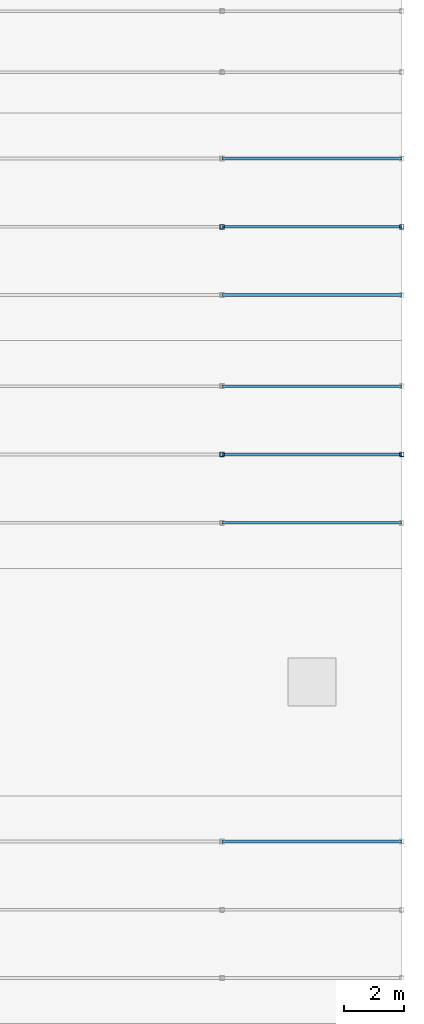
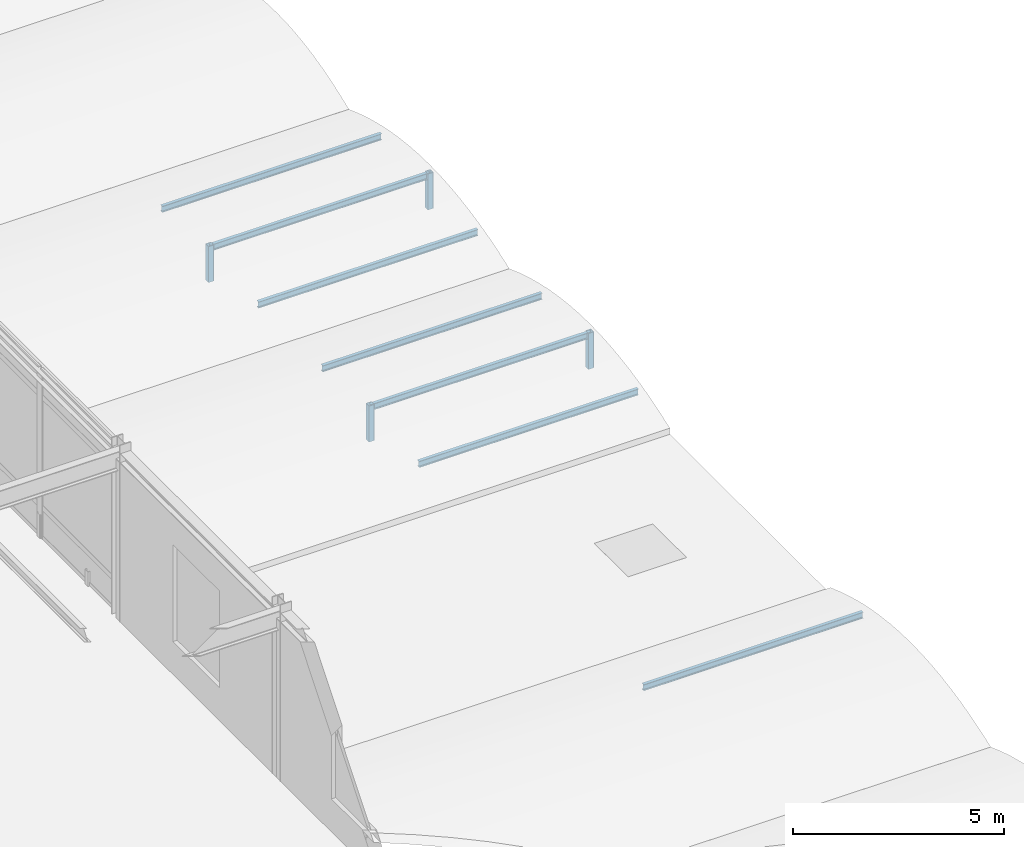
# One storey, part 74 of 113: 11 members.
"""IFC4 building model written with IfcOpenShell, lengths in metres."""

from ifc_helpers import new_model, si_unit, direction, frame, origin, origin_2d, place, context, subcontext, project, spatial, hollow_rectangle, i_section, extrude, material, material_profile, profile_set, type_object, element, save


model = new_model("IFC4")

# Units and contexts
model_context = context("Model", 3, precision=1e-05, world=origin(), true_north=direction((0.0, 1.0)))
body_context = subcontext(model_context, "Body", "Model", "MODEL_VIEW")
ifc_project = project(units=[si_unit("LENGTHUNIT", "METRE"), si_unit("AREAUNIT", "SQUARE_METRE"), si_unit("VOLUMEUNIT", "CUBIC_METRE"), si_unit("PLANEANGLEUNIT", "RADIAN"), si_unit("MASSUNIT", "GRAM", prefix="KILO")], contexts=[model_context])

# Site, building, storey
site_placement = place(None, origin())
site = spatial("IfcSite", under=ifc_project, at=site_placement, CompositionType="ELEMENT")
building_placement = place(site_placement, origin())
building = spatial("IfcBuilding", under=site, at=building_placement, Name="Shalkamar Park Central Library", CompositionType="ELEMENT")
storey_placement = place(building_placement, frame((0.0, 0.0, 5.39990234375)))
storey = spatial("IfcBuildingStorey", under=building, at=storey_placement, Name="L02", CompositionType="ELEMENT", Elevation=5.39990234375)

# Members
ifc_material = material(Name="Steel S355", Category="steel")
ifc_material_profile_1 = material_profile(ifc_material, hollow_rectangle(XDim=0.14990234375, YDim=0.14990234375, WallThickness=0.008056640625, InnerFilletRadius=0.008056640625, OuterFilletRadius=0.011962890625, at=origin_2d()), Name="SHS 150x150x8")
ifc_profile_set_1 = profile_set([ifc_material_profile_1], Name="Steel S355")
member_type_1 = type_object("IfcMemberType", Name="Diagonal Brace SHS150", PredefinedType="BRACE", material=ifc_profile_set_1)
for number, where, z_axis, x_axis, name in (
    (1, (282.0, 319.800048828125, -0.35986328125), (0.0, 0.0, 1.0), (1.0, 0.0, 0.0), "Vault Arch Post BV-L01-E8-21.2"),
    (2, (288.0, 319.800048828125, -0.35986328125), (0.0, 0.0, 1.0), (1.0, 0.0, 0.0), "Vault Arch Post BV-L01-E8-22.2"),
    (3, (282.0, 327.39990234375, -0.35986328125), (0.0, 0.0, 1.0), (1.0, 0.0, 0.0), "Vault Arch Post BV-L01-E9-21.2"),
    (4, (288.0, 327.39990234375, -0.35986328125), (0.0, 0.0, 1.0), (1.0, 0.0, 0.0), "Vault Arch Post BV-L01-E9-22.2"),
):
    element("IfcMember", number, at=place(storey_placement, frame(where, z_axis=z_axis, x_axis=x_axis)), inside=storey, type_object=member_type_1, Name=name, PredefinedType="BRACE", context=body_context, shape_type="SweptSolid", body=[
        extrude(hollow_rectangle(XDim=0.14990234375, YDim=0.14990234375, WallThickness=0.008056640625, InnerFilletRadius=0.008056640625, OuterFilletRadius=0.011962890625, at=origin_2d()), origin(), (0.0, 0.0, 1.0), 1.0400390625),
    ])
ifc_material_profile_2 = material_profile(ifc_material, i_section(OverallWidth=0.091064453125, OverallDepth=0.179931640625, WebThickness=0.00537109375, FlangeThickness=0.008056640625, FilletRadius=0.009033203125, at=origin_2d()), Name="IPE 180")
ifc_profile_set_2 = profile_set([ifc_material_profile_2], Name="Steel S355")
member_type_2 = type_object("IfcMemberType", Name="Roof Purlin IPE180", PredefinedType="PURLIN", material=ifc_profile_set_2)
for number, where, z_axis, x_axis, name in (
    (5, (282.0, 306.8798828125, 0.330810546875), (1.0, 0.0, 0.0), (0.0, 1.0, 0.0), "Barrel Roof Purlin BV-L01-E7-3.21"),
    (6, (282.0, 317.52001953125, 0.330810546875), (1.0, 0.0, 0.0), (0.0, 1.0, 0.0), "Barrel Roof Purlin BV-L01-E8-1.21"),
    (7, (282.0, 319.800048828125, 0.590087890625), (1.0, 0.0, 0.0), (0.0, 1.0, 0.0), "Barrel Roof Purlin BV-L01-E8-2.21"),
    (8, (282.0, 322.080078125, 0.330810546875), (1.0, 0.0, 0.0), (0.0, 1.0, 0.0), "Barrel Roof Purlin BV-L01-E8-3.21"),
    (9, (282.0, 325.1201171875, 0.330810546875), (1.0, 0.0, 0.0), (0.0, 1.0, 0.0), "Barrel Roof Purlin BV-L01-E9-1.21"),
    (10, (282.0, 327.39990234375, 0.590087890625), (1.0, 0.0, 0.0), (0.0, 1.0, 0.0), "Barrel Roof Purlin BV-L01-E9-2.21"),
    (11, (282.0, 329.679931640625, 0.330810546875), (1.0, 0.0, 0.0), (0.0, 1.0, 0.0), "Barrel Roof Purlin BV-L01-E9-3.21"),
):
    element("IfcMember", number, at=place(storey_placement, frame(where, z_axis=z_axis, x_axis=x_axis)), inside=storey, type_object=member_type_2, Name=name, PredefinedType="PURLIN", context=body_context, shape_type="SweptSolid", body=[
        extrude(i_section(OverallWidth=0.091064453125, OverallDepth=0.179931640625, WebThickness=0.00537109375, FlangeThickness=0.008056640625, FilletRadius=0.009033203125, at=origin_2d()), origin(), (0.0, 0.0, 1.0), 6.0),
    ])

save(model, "model.ifc")
